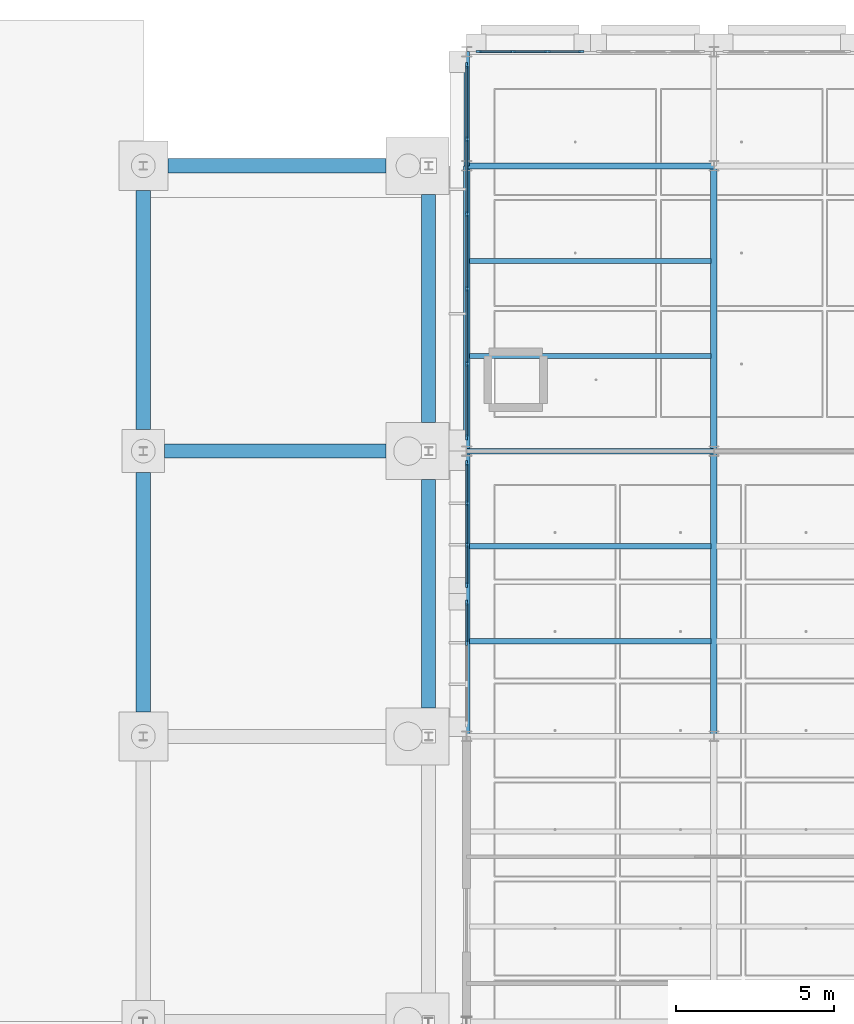
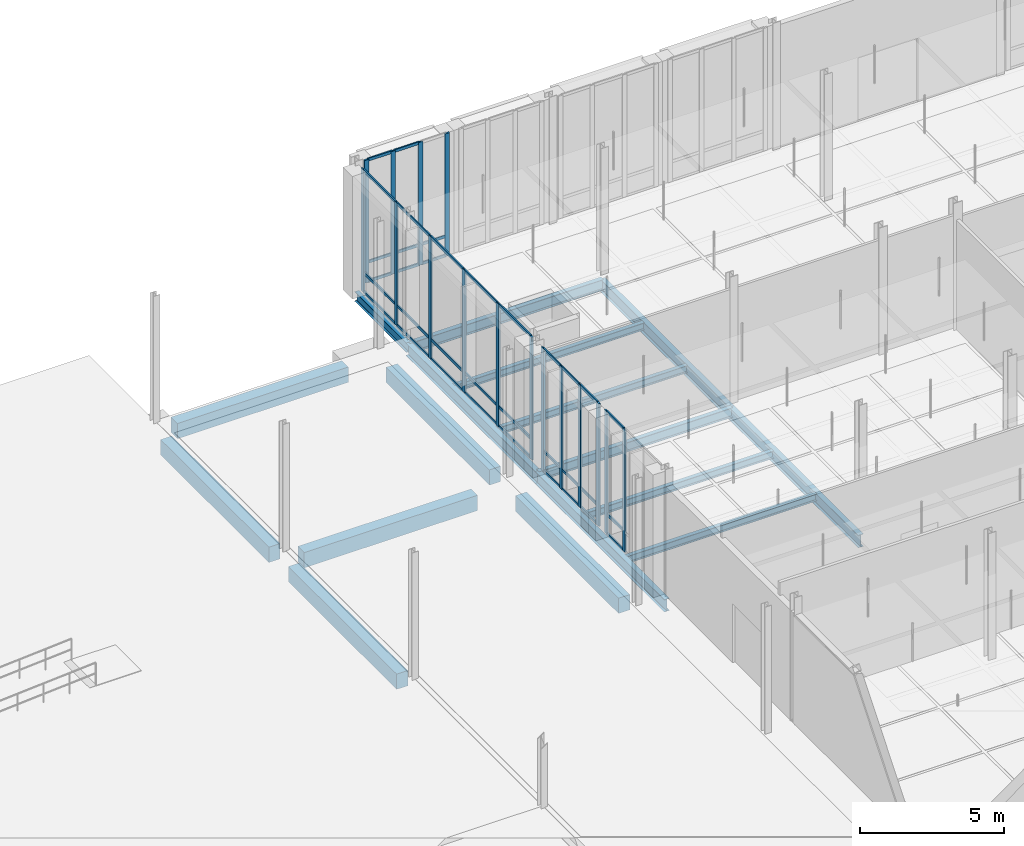
# One storey, part 52 of 180: 51 members, 17 beams, 4 elements without a shape of their own.
"""IFC4 building model written with IfcOpenShell, lengths in metres."""

from ifc_helpers import new_model, si_unit, direction, frame, origin, origin_2d, place, context, subcontext, project, spatial, rectangle, i_section, extrude, material, material_profile, profile_set, type_object, element, aggregate, save


model = new_model("IFC4")

# Units and contexts
model_context = context("Model", 3, precision=1e-05, world=origin(), true_north=direction((0.0, 1.0)))
body_context = subcontext(model_context, "Body", "Model", "MODEL_VIEW")
ifc_project = project(units=[si_unit("LENGTHUNIT", "METRE"), si_unit("AREAUNIT", "SQUARE_METRE"), si_unit("VOLUMEUNIT", "CUBIC_METRE"), si_unit("PLANEANGLEUNIT", "RADIAN"), si_unit("MASSUNIT", "GRAM", prefix="KILO"), si_unit("THERMODYNAMICTEMPERATUREUNIT", "KELVIN"), si_unit("POWERUNIT", "WATT")], contexts=[model_context])

# Site, building, storey
site_placement = place(None, origin())
site = spatial("IfcSite", under=ifc_project, at=site_placement, CompositionType="ELEMENT")
building_placement = place(site_placement, origin())
building = spatial("IfcBuilding", under=site, at=building_placement, Name="Tallowbark Science Centre", CompositionType="ELEMENT")
storey_placement = place(building_placement, origin())
storey = spatial("IfcBuildingStorey", under=building, at=storey_placement, Name="L00", CompositionType="ELEMENT", Elevation=0.0)

# Beams
ifc_material_1 = material(Name="Concrete Grade N40 (40 MPa)", Category="concrete")
ifc_material_profile_1 = material_profile(ifc_material_1, rectangle(XDim=0.449951171875, YDim=0.64990234375, at=origin_2d()), Name="RC450x650")
ifc_profile_set_1 = profile_set([ifc_material_profile_1], Name="Concrete Grade N40 (40 MPa)")
beam_type_1 = type_object("IfcBeamType", Name="BM-GB2-N40", PredefinedType="BEAM", material=ifc_profile_set_1)
beam_1_placement = place(storey_placement, frame((45.675048828125, 99.0, -0.5849609375), z_axis=(1.0, 0.0, 0.0), x_axis=(0.0, 1.0, 0.0)))
element("IfcBeam", 1, at=beam_1_placement, inside=storey, type_object=beam_type_1, Name="Ground Tie Beam GBT-X-282", PredefinedType="BEAM", context=body_context, shape_type="SweptSolid", body=[
    extrude(rectangle(XDim=0.449951171875, YDim=0.64990234375, at=origin_2d()), origin(), (0.0, 0.0, 1.0), 6.974853515625),
])
beam_2_placement = place(storey_placement, frame((45.77490234375, 108.0, -0.5849609375), z_axis=(1.0, 0.0, 0.0), x_axis=(0.0, 1.0, 0.0)))
element("IfcBeam", 2, at=beam_2_placement, inside=storey, type_object=beam_type_1, Name="Ground Tie Beam GBT-X-286", PredefinedType="BEAM", context=body_context, shape_type="SweptSolid", body=[
    extrude(rectangle(XDim=0.449951171875, YDim=0.64990234375, at=origin_2d()), origin(), (0.0, 0.0, 1.0), 6.875),
])
for number, where, z_axis, x_axis, name in (
    (3, (45.0, 90.77490234375, -0.5849609375), (0.0, 1.0, 0.0), (-1.0, 0.0, 0.0), "Ground Tie Beam GBT-Y-313"),
    (4, (45.0, 99.675048828125, -0.5849609375), (0.0, 1.0, 0.0), (-1.0, 0.0, 0.0), "Ground Tie Beam GBT-Y-314"),
):
    element("IfcBeam", number, at=place(storey_placement, frame(where, z_axis=z_axis, x_axis=x_axis)), inside=storey, type_object=beam_type_1, Name=name, PredefinedType="BEAM", context=body_context, shape_type="SweptSolid", body=[
        extrude(rectangle(XDim=0.449951171875, YDim=0.64990234375, at=origin_2d()), origin(), (0.0, 0.0, 1.0), 7.550048828125),
    ])
for number, where, z_axis, x_axis, name in (
    (5, (54.0, 90.89990234375, -0.5849609375), (0.0, 1.0, 0.0), (-1.0, 0.0, 0.0), "Ground Tie Beam GBT-Y-325"),
    (6, (54.0, 99.89990234375, -0.5849609375), (0.0, 1.0, 0.0), (-1.0, 0.0, 0.0), "Ground Tie Beam GBT-Y-326"),
):
    element("IfcBeam", number, at=place(storey_placement, frame(where, z_axis=z_axis, x_axis=x_axis)), inside=storey, type_object=beam_type_1, Name=name, PredefinedType="BEAM", context=body_context, shape_type="SweptSolid", body=[
        extrude(rectangle(XDim=0.449951171875, YDim=0.64990234375, at=origin_2d()), origin(), (0.0, 0.0, 1.0), 7.2001953125),
    ])
ifc_material_2 = material(Name="Structural Steel Grade 300PLUS (300 MPa)", Category="steel")
ifc_material_profile_2 = material_profile(ifc_material_2, i_section(OverallWidth=0.177734375, OverallDepth=0.406494140625, WebThickness=0.0078125, FlangeThickness=0.0126953125, FilletRadius=0.011474609375, at=origin_2d()), Name="410UB59.7")
ifc_profile_set_2 = profile_set([ifc_material_profile_2], Name="Structural Steel Grade 300PLUS (300 MPa)")
beam_type_2 = type_object("IfcBeamType", Name="BM-UB410", PredefinedType="BEAM", material=ifc_profile_set_2)
beam_3_placement = place(storey_placement, frame((55.199951171875, 99.0, -0.443115234375), z_axis=(1.0, 0.0, 0.0), x_axis=(0.0, 1.0, 0.0)))
element("IfcBeam", 7, at=beam_3_placement, inside=storey, type_object=beam_type_2, Name="Primary Girder GRDX-L00-552-630-990", PredefinedType="BEAM", context=body_context, shape_type="SweptSolid", body=[
    extrude(i_section(OverallWidth=0.177734375, OverallDepth=0.406494140625, WebThickness=0.0078125, FlangeThickness=0.0126953125, FilletRadius=0.011474609375, at=origin_2d()), origin(), (0.0, 0.0, 1.0), 7.800048828125),
])
beam_4_placement = place(storey_placement, frame((55.199951171875, 108.0, -0.443115234375), z_axis=(0.0, 1.0, 0.0), x_axis=(-1.0, 0.0, 0.0)))
element("IfcBeam", 8, at=beam_4_placement, inside=storey, type_object=beam_type_2, Name="Primary Girder GRDY-L00-552-1080-1116", PredefinedType="BEAM", context=body_context, shape_type="SweptSolid", body=[
    extrude(i_section(OverallWidth=0.177734375, OverallDepth=0.406494140625, WebThickness=0.0078125, FlangeThickness=0.0126953125, FilletRadius=0.011474609375, at=origin_2d()), origin(), (0.0, 0.0, 1.0), 3.60009765625),
])
ifc_material_profile_3 = material_profile(ifc_material_2, i_section(OverallWidth=0.208740234375, OverallDepth=0.5283203125, WebThickness=0.009521484375, FlangeThickness=0.01318359375, FilletRadius=0.013916015625, at=origin_2d()), Name="530UB82.0")
ifc_profile_set_3 = profile_set([ifc_material_profile_3], Name="Structural Steel Grade 300PLUS (300 MPa)")
beam_type_3 = type_object("IfcBeamType", Name="BM-UB530B", PredefinedType="BEAM", material=ifc_profile_set_3)
for number, where, z_axis, x_axis, name in (
    (9, (55.199951171875, 90.0, -0.504150390625), (0.0, 1.0, 0.0), (-1.0, 0.0, 0.0), "Primary Girder GRDY-L00-552-900-990"),
    (10, (55.199951171875, 99.0, -0.504150390625), (0.0, 1.0, 0.0), (-1.0, 0.0, 0.0), "Primary Girder GRDY-L00-552-990-1080"),
    (11, (63.0, 90.0, -0.504150390625), (0.0, 1.0, 0.0), (-1.0, 0.0, 0.0), "Primary Girder GRDY-L00-630-900-990"),
    (12, (63.0, 99.0, -0.504150390625), (0.0, 1.0, 0.0), (-1.0, 0.0, 0.0), "Primary Girder GRDY-L00-630-990-1080"),
):
    element("IfcBeam", number, at=place(storey_placement, frame(where, z_axis=z_axis, x_axis=x_axis)), inside=storey, type_object=beam_type_3, Name=name, PredefinedType="BEAM", context=body_context, shape_type="SweptSolid", body=[
        extrude(i_section(OverallWidth=0.208740234375, OverallDepth=0.5283203125, WebThickness=0.009521484375, FlangeThickness=0.01318359375, FilletRadius=0.013916015625, at=origin_2d()), origin(), (0.0, 0.0, 1.0), 9.0),
    ])

# Curtain wall, members
ifc_material_3 = material(Name="Unitised Thermally Broken Aluminium and Low-E Double Glazing", Category="aluminium")
curtain_wall_type = type_object("IfcCurtainWallType", Name="CW-SYS-FACADE", PredefinedType="NOTDEFINED", material=ifc_material_3)
curtain_wall_1_placement = place(storey_placement, origin())
curtain_wall_1 = element("IfcCurtainWall", 13, at=curtain_wall_1_placement, inside=storey, type_object=curtain_wall_type, Name="Unitised Curtain Wall LAB-W-90A CW-L00-028", PredefinedType="NOTDEFINED")
ifc_material_4 = material(Name="Anodised Architectural Aluminium Alloy 6063-T6", Category="aluminium")
ifc_material_profile_4 = material_profile(ifc_material_4, rectangle(XDim=0.06494140625, YDim=0.179931640625, at=origin_2d()), Name="ALU65x180")
ifc_profile_set_4 = profile_set([ifc_material_profile_4], Name="Anodised Architectural Aluminium Alloy 6063-T6")
member_type_1 = type_object("IfcMemberType", Name="CWM-MUL-220", PredefinedType="MULLION", material=ifc_profile_set_4)
member_1_placement = place(storey_placement, frame((55.199951171875, 98.617431640625, 0.0), z_axis=(0.0, 0.0, 1.0), x_axis=(1.0, 0.0, 0.0)))
member_1 = element("IfcMember", 14, at=member_1_placement, type_object=member_type_1, Name="CW-01 mullion 1", PredefinedType="MULLION", context=body_context, shape_type="SweptSolid", body=[
    extrude(rectangle(XDim=0.06494140625, YDim=0.179931640625, at=origin_2d()), origin(), (0.0, 0.0, 1.0), 5.219970703125),
])
member_2_placement = place(storey_placement, frame((55.199951171875, 97.35009765625, 0.0), z_axis=(0.0, 0.0, 1.0), x_axis=(1.0, 0.0, 0.0)))
member_2 = element("IfcMember", 15, at=member_2_placement, type_object=member_type_1, Name="CW-01 mullion 2", PredefinedType="MULLION", context=body_context, shape_type="SweptSolid", body=[
    extrude(rectangle(XDim=0.06494140625, YDim=0.179931640625, at=origin_2d()), origin(), (0.0, 0.0, 1.0), 5.219970703125),
])
member_3_placement = place(storey_placement, frame((55.199951171875, 96.050048828125, 0.0), z_axis=(0.0, 0.0, 1.0), x_axis=(1.0, 0.0, 0.0)))
member_3 = element("IfcMember", 16, at=member_3_placement, type_object=member_type_1, Name="CW-01 mullion 3", PredefinedType="MULLION", context=body_context, shape_type="SweptSolid", body=[
    extrude(rectangle(XDim=0.06494140625, YDim=0.179931640625, at=origin_2d()), origin(), (0.0, 0.0, 1.0), 5.219970703125),
])
member_4_placement = place(storey_placement, frame((55.199951171875, 94.782470703125, 0.0), z_axis=(0.0, 0.0, 1.0), x_axis=(1.0, 0.0, 0.0)))
member_4 = element("IfcMember", 17, at=member_4_placement, type_object=member_type_1, Name="CW-01 mullion 4", PredefinedType="MULLION", context=body_context, shape_type="SweptSolid", body=[
    extrude(rectangle(XDim=0.06494140625, YDim=0.179931640625, at=origin_2d()), origin(), (0.0, 0.0, 1.0), 5.219970703125),
])

curtain_wall_2_placement = place(storey_placement, origin())
curtain_wall_2 = element("IfcCurtainWall", 18, at=curtain_wall_2_placement, inside=storey, type_object=curtain_wall_type, Name="Unitised Curtain Wall LAB-W-90B CW-L00-029", PredefinedType="NOTDEFINED")
member_5_placement = place(storey_placement, frame((55.199951171875, 94.217529296875, 0.0), z_axis=(0.0, 0.0, 1.0), x_axis=(1.0, 0.0, 0.0)))
member_5 = element("IfcMember", 19, at=member_5_placement, type_object=member_type_1, Name="CW-01 mullion 1", PredefinedType="MULLION", context=body_context, shape_type="SweptSolid", body=[
    extrude(rectangle(XDim=0.06494140625, YDim=0.179931640625, at=origin_2d()), origin(), (0.0, 0.0, 1.0), 5.219970703125),
])
member_6_placement = place(storey_placement, frame((55.199951171875, 92.949951171875, 0.0), z_axis=(0.0, 0.0, 1.0), x_axis=(1.0, 0.0, 0.0)))
member_6 = element("IfcMember", 20, at=member_6_placement, type_object=member_type_1, Name="CW-01 mullion 2", PredefinedType="MULLION", context=body_context, shape_type="SweptSolid", body=[
    extrude(rectangle(XDim=0.06494140625, YDim=0.179931640625, at=origin_2d()), origin(), (0.0, 0.0, 1.0), 5.219970703125),
])

curtain_wall_3_placement = place(storey_placement, origin())
curtain_wall_3 = element("IfcCurtainWall", 21, at=curtain_wall_3_placement, inside=storey, type_object=curtain_wall_type, Name="Unitised Curtain Wall CAF-N-55B CW-L00-031", PredefinedType="NOTDEFINED")
member_7_placement = place(storey_placement, frame((58.8173828125, 111.60009765625, 0.0), z_axis=(0.0, 0.0, 1.0), x_axis=(0.0, -1.0, 0.0)))
member_7 = element("IfcMember", 22, at=member_7_placement, type_object=member_type_1, Name="CW-01 mullion 1", PredefinedType="MULLION", context=body_context, shape_type="SweptSolid", body=[
    extrude(rectangle(XDim=0.06494140625, YDim=0.179931640625, at=origin_2d()), origin(), (0.0, 0.0, 1.0), 5.219970703125),
])
member_8_placement = place(storey_placement, frame((57.75, 111.60009765625, 0.0), z_axis=(0.0, 0.0, 1.0), x_axis=(0.0, -1.0, 0.0)))
member_8 = element("IfcMember", 23, at=member_8_placement, type_object=member_type_1, Name="CW-01 mullion 2", PredefinedType="MULLION", context=body_context, shape_type="SweptSolid", body=[
    extrude(rectangle(XDim=0.06494140625, YDim=0.179931640625, at=origin_2d()), origin(), (0.0, 0.0, 1.0), 5.219970703125),
])
member_9_placement = place(storey_placement, frame((56.64990234375, 111.60009765625, 0.0), z_axis=(0.0, 0.0, 1.0), x_axis=(0.0, -1.0, 0.0)))
member_9 = element("IfcMember", 24, at=member_9_placement, type_object=member_type_1, Name="CW-01 mullion 3", PredefinedType="MULLION", context=body_context, shape_type="SweptSolid", body=[
    extrude(rectangle(XDim=0.06494140625, YDim=0.179931640625, at=origin_2d()), origin(), (0.0, 0.0, 1.0), 5.219970703125),
])
member_10_placement = place(storey_placement, frame((55.58251953125, 111.60009765625, 0.0), z_axis=(0.0, 0.0, 1.0), x_axis=(0.0, -1.0, 0.0)))
member_10 = element("IfcMember", 25, at=member_10_placement, type_object=member_type_1, Name="CW-01 mullion 4", PredefinedType="MULLION", context=body_context, shape_type="SweptSolid", body=[
    extrude(rectangle(XDim=0.06494140625, YDim=0.179931640625, at=origin_2d()), origin(), (0.0, 0.0, 1.0), 5.219970703125),
])

curtain_wall_4_placement = place(storey_placement, origin())
curtain_wall_4 = element("IfcCurtainWall", 26, at=curtain_wall_4_placement, inside=storey, type_object=curtain_wall_type, Name="Unitised Curtain Wall CAF-W-L00 CW-L00-038", PredefinedType="NOTDEFINED")
member_11_placement = place(storey_placement, frame((55.199951171875, 111.16748046875, 0.0), z_axis=(0.0, 0.0, 1.0), x_axis=(1.0, 0.0, 0.0)))
member_11 = element("IfcMember", 27, at=member_11_placement, type_object=member_type_1, Name="CW-01 mullion 1", PredefinedType="MULLION", context=body_context, shape_type="SweptSolid", body=[
    extrude(rectangle(XDim=0.06494140625, YDim=0.179931640625, at=origin_2d()), origin(), (0.0, 0.0, 1.0), 5.219970703125),
])
member_12_placement = place(storey_placement, frame((55.199951171875, 108.840087890625, 0.0), z_axis=(0.0, 0.0, 1.0), x_axis=(1.0, 0.0, 0.0)))
member_12 = element("IfcMember", 28, at=member_12_placement, type_object=member_type_1, Name="CW-01 mullion 2", PredefinedType="MULLION", context=body_context, shape_type="SweptSolid", body=[
    extrude(rectangle(XDim=0.06494140625, YDim=0.179931640625, at=origin_2d()), origin(), (0.0, 0.0, 1.0), 5.219970703125),
])
member_13_placement = place(storey_placement, frame((55.199951171875, 106.47998046875, 0.0), z_axis=(0.0, 0.0, 1.0), x_axis=(1.0, 0.0, 0.0)))
member_13 = element("IfcMember", 29, at=member_13_placement, type_object=member_type_1, Name="CW-01 mullion 3", PredefinedType="MULLION", context=body_context, shape_type="SweptSolid", body=[
    extrude(rectangle(XDim=0.06494140625, YDim=0.179931640625, at=origin_2d()), origin(), (0.0, 0.0, 1.0), 5.219970703125),
])
member_14_placement = place(storey_placement, frame((55.199951171875, 104.1201171875, 0.0), z_axis=(0.0, 0.0, 1.0), x_axis=(1.0, 0.0, 0.0)))
member_14 = element("IfcMember", 30, at=member_14_placement, type_object=member_type_1, Name="CW-01 mullion 4", PredefinedType="MULLION", context=body_context, shape_type="SweptSolid", body=[
    extrude(rectangle(XDim=0.06494140625, YDim=0.179931640625, at=origin_2d()), origin(), (0.0, 0.0, 1.0), 5.219970703125),
])
member_15_placement = place(storey_placement, frame((55.199951171875, 101.760009765625, 0.0), z_axis=(0.0, 0.0, 1.0), x_axis=(1.0, 0.0, 0.0)))
member_15 = element("IfcMember", 31, at=member_15_placement, type_object=member_type_1, Name="CW-01 mullion 5", PredefinedType="MULLION", context=body_context, shape_type="SweptSolid", body=[
    extrude(rectangle(XDim=0.06494140625, YDim=0.179931640625, at=origin_2d()), origin(), (0.0, 0.0, 1.0), 5.219970703125),
])
member_16_placement = place(storey_placement, frame((55.199951171875, 99.4326171875, 0.0), z_axis=(0.0, 0.0, 1.0), x_axis=(1.0, 0.0, 0.0)))
member_16 = element("IfcMember", 32, at=member_16_placement, type_object=member_type_1, Name="CW-01 mullion 6", PredefinedType="MULLION", context=body_context, shape_type="SweptSolid", body=[
    extrude(rectangle(XDim=0.06494140625, YDim=0.179931640625, at=origin_2d()), origin(), (0.0, 0.0, 1.0), 5.219970703125),
])

# Member
ifc_material_profile_5 = material_profile(ifc_material_4, rectangle(XDim=0.054931640625, YDim=0.1201171875, at=origin_2d()), Name="ALU55x120")
ifc_profile_set_5 = profile_set([ifc_material_profile_5], Name="Anodised Architectural Aluminium Alloy 6063-T6")
member_type_2 = type_object("IfcMemberType", Name="CWM-TRN-150", PredefinedType="USERDEFINED", material=ifc_profile_set_5)
member_17_placement = place(storey_placement, frame((55.199951171875, 98.5849609375, 0.027587890625), z_axis=(0.0, -1.0, 0.0), x_axis=(1.0, 0.0, 0.0)))
member_17 = element("IfcMember", 33, at=member_17_placement, type_object=member_type_2, Name="CW-01 transom 1.1", ObjectType="TRANSOM", PredefinedType="USERDEFINED", context=body_context, shape_type="SweptSolid", body=[
    extrude(rectangle(XDim=0.054931640625, YDim=0.1201171875, at=origin_2d()), origin(), (0.0, 0.0, 1.0), 1.202392578125),
])

member_18_placement = place(storey_placement, frame((55.199951171875, 98.5849609375, 0.85009765625), z_axis=(0.0, -1.0, 0.0), x_axis=(1.0, 0.0, 0.0)))
member_18 = element("IfcMember", 34, at=member_18_placement, type_object=member_type_2, Name="CW-01 transom 1.2", ObjectType="TRANSOM", PredefinedType="USERDEFINED", context=body_context, shape_type="SweptSolid", body=[
    extrude(rectangle(XDim=0.054931640625, YDim=0.1201171875, at=origin_2d()), origin(), (0.0, 0.0, 1.0), 1.202392578125),
])

member_19_placement = place(storey_placement, frame((55.199951171875, 98.5849609375, 5.1923828125), z_axis=(0.0, -1.0, 0.0), x_axis=(1.0, 0.0, 0.0)))
member_19 = element("IfcMember", 35, at=member_19_placement, type_object=member_type_2, Name="CW-01 transom 1.3", ObjectType="TRANSOM", PredefinedType="USERDEFINED", context=body_context, shape_type="SweptSolid", body=[
    extrude(rectangle(XDim=0.054931640625, YDim=0.1201171875, at=origin_2d()), origin(), (0.0, 0.0, 1.0), 1.202392578125),
])

member_20_placement = place(storey_placement, frame((55.199951171875, 97.3173828125, 0.027587890625), z_axis=(0.0, -1.0, 0.0), x_axis=(1.0, 0.0, 0.0)))
member_20 = element("IfcMember", 36, at=member_20_placement, type_object=member_type_2, Name="CW-01 transom 2.1", ObjectType="TRANSOM", PredefinedType="USERDEFINED", context=body_context, shape_type="SweptSolid", body=[
    extrude(rectangle(XDim=0.054931640625, YDim=0.1201171875, at=origin_2d()), origin(), (0.0, 0.0, 1.0), 1.23486328125),
])

member_21_placement = place(storey_placement, frame((55.199951171875, 97.3173828125, 0.85009765625), z_axis=(0.0, -1.0, 0.0), x_axis=(1.0, 0.0, 0.0)))
member_21 = element("IfcMember", 37, at=member_21_placement, type_object=member_type_2, Name="CW-01 transom 2.2", ObjectType="TRANSOM", PredefinedType="USERDEFINED", context=body_context, shape_type="SweptSolid", body=[
    extrude(rectangle(XDim=0.054931640625, YDim=0.1201171875, at=origin_2d()), origin(), (0.0, 0.0, 1.0), 1.23486328125),
])

member_22_placement = place(storey_placement, frame((55.199951171875, 97.3173828125, 5.1923828125), z_axis=(0.0, -1.0, 0.0), x_axis=(1.0, 0.0, 0.0)))
member_22 = element("IfcMember", 38, at=member_22_placement, type_object=member_type_2, Name="CW-01 transom 2.3", ObjectType="TRANSOM", PredefinedType="USERDEFINED", context=body_context, shape_type="SweptSolid", body=[
    extrude(rectangle(XDim=0.054931640625, YDim=0.1201171875, at=origin_2d()), origin(), (0.0, 0.0, 1.0), 1.23486328125),
])

member_23_placement = place(storey_placement, frame((55.199951171875, 96.017578125, 0.027587890625), z_axis=(0.0, -1.0, 0.0), x_axis=(1.0, 0.0, 0.0)))
member_23 = element("IfcMember", 39, at=member_23_placement, type_object=member_type_2, Name="CW-01 transom 3.1", ObjectType="TRANSOM", PredefinedType="USERDEFINED", context=body_context, shape_type="SweptSolid", body=[
    extrude(rectangle(XDim=0.054931640625, YDim=0.1201171875, at=origin_2d()), origin(), (0.0, 0.0, 1.0), 1.20263671875),
])

member_24_placement = place(storey_placement, frame((55.199951171875, 96.017578125, 0.85009765625), z_axis=(0.0, -1.0, 0.0), x_axis=(1.0, 0.0, 0.0)))
member_24 = element("IfcMember", 40, at=member_24_placement, type_object=member_type_2, Name="CW-01 transom 3.2", ObjectType="TRANSOM", PredefinedType="USERDEFINED", context=body_context, shape_type="SweptSolid", body=[
    extrude(rectangle(XDim=0.054931640625, YDim=0.1201171875, at=origin_2d()), origin(), (0.0, 0.0, 1.0), 1.20263671875),
])

member_25_placement = place(storey_placement, frame((55.199951171875, 96.017578125, 5.1923828125), z_axis=(0.0, -1.0, 0.0), x_axis=(1.0, 0.0, 0.0)))
member_25 = element("IfcMember", 41, at=member_25_placement, type_object=member_type_2, Name="CW-01 transom 3.3", ObjectType="TRANSOM", PredefinedType="USERDEFINED", context=body_context, shape_type="SweptSolid", body=[
    extrude(rectangle(XDim=0.054931640625, YDim=0.1201171875, at=origin_2d()), origin(), (0.0, 0.0, 1.0), 1.20263671875),
])

aggregate(curtain_wall_1, [member_1, member_2, member_3, member_4, member_17, member_18, member_19, member_20, member_21, member_22, member_23, member_24, member_25])

member_26_placement = place(storey_placement, frame((55.199951171875, 94.18505859375, 0.027587890625), z_axis=(0.0, -1.0, 0.0), x_axis=(1.0, 0.0, 0.0)))
member_26 = element("IfcMember", 42, at=member_26_placement, type_object=member_type_2, Name="CW-01 transom 1.1", ObjectType="TRANSOM", PredefinedType="USERDEFINED", context=body_context, shape_type="SweptSolid", body=[
    extrude(rectangle(XDim=0.054931640625, YDim=0.1201171875, at=origin_2d()), origin(), (0.0, 0.0, 1.0), 1.20263671875),
])

member_27_placement = place(storey_placement, frame((55.199951171875, 94.18505859375, 0.85009765625), z_axis=(0.0, -1.0, 0.0), x_axis=(1.0, 0.0, 0.0)))
member_27 = element("IfcMember", 43, at=member_27_placement, type_object=member_type_2, Name="CW-01 transom 1.2", ObjectType="TRANSOM", PredefinedType="USERDEFINED", context=body_context, shape_type="SweptSolid", body=[
    extrude(rectangle(XDim=0.054931640625, YDim=0.1201171875, at=origin_2d()), origin(), (0.0, 0.0, 1.0), 1.20263671875),
])

member_28_placement = place(storey_placement, frame((55.199951171875, 94.18505859375, 5.1923828125), z_axis=(0.0, -1.0, 0.0), x_axis=(1.0, 0.0, 0.0)))
member_28 = element("IfcMember", 44, at=member_28_placement, type_object=member_type_2, Name="CW-01 transom 1.3", ObjectType="TRANSOM", PredefinedType="USERDEFINED", context=body_context, shape_type="SweptSolid", body=[
    extrude(rectangle(XDim=0.054931640625, YDim=0.1201171875, at=origin_2d()), origin(), (0.0, 0.0, 1.0), 1.20263671875),
])

aggregate(curtain_wall_2, [member_5, member_6, member_26, member_27, member_28])

member_29_placement = place(storey_placement, frame((58.784912109375, 111.60009765625, 0.027587890625), z_axis=(-1.0, 0.0, 0.0), x_axis=(0.0, -1.0, 0.0)))
member_29 = element("IfcMember", 45, at=member_29_placement, type_object=member_type_2, Name="CW-01 transom 1.1", ObjectType="TRANSOM", PredefinedType="USERDEFINED", context=body_context, shape_type="SweptSolid", body=[
    extrude(rectangle(XDim=0.054931640625, YDim=0.1201171875, at=origin_2d()), origin(), (0.0, 0.0, 1.0), 1.00244140625),
])

member_30_placement = place(storey_placement, frame((58.784912109375, 111.60009765625, 0.85009765625), z_axis=(-1.0, 0.0, 0.0), x_axis=(0.0, -1.0, 0.0)))
member_30 = element("IfcMember", 46, at=member_30_placement, type_object=member_type_2, Name="CW-01 transom 1.2", ObjectType="TRANSOM", PredefinedType="USERDEFINED", context=body_context, shape_type="SweptSolid", body=[
    extrude(rectangle(XDim=0.054931640625, YDim=0.1201171875, at=origin_2d()), origin(), (0.0, 0.0, 1.0), 1.00244140625),
])

member_31_placement = place(storey_placement, frame((57.717529296875, 111.60009765625, 0.027587890625), z_axis=(-1.0, 0.0, 0.0), x_axis=(0.0, -1.0, 0.0)))
member_31 = element("IfcMember", 47, at=member_31_placement, type_object=member_type_2, Name="CW-01 transom 2.1", ObjectType="TRANSOM", PredefinedType="USERDEFINED", context=body_context, shape_type="SweptSolid", body=[
    extrude(rectangle(XDim=0.054931640625, YDim=0.1201171875, at=origin_2d()), origin(), (0.0, 0.0, 1.0), 1.034912109375),
])

member_32_placement = place(storey_placement, frame((57.717529296875, 111.60009765625, 0.85009765625), z_axis=(-1.0, 0.0, 0.0), x_axis=(0.0, -1.0, 0.0)))
member_32 = element("IfcMember", 48, at=member_32_placement, type_object=member_type_2, Name="CW-01 transom 2.2", ObjectType="TRANSOM", PredefinedType="USERDEFINED", context=body_context, shape_type="SweptSolid", body=[
    extrude(rectangle(XDim=0.054931640625, YDim=0.1201171875, at=origin_2d()), origin(), (0.0, 0.0, 1.0), 1.034912109375),
])

member_33_placement = place(storey_placement, frame((57.717529296875, 111.60009765625, 5.1923828125), z_axis=(-1.0, 0.0, 0.0), x_axis=(0.0, -1.0, 0.0)))
member_33 = element("IfcMember", 49, at=member_33_placement, type_object=member_type_2, Name="CW-01 transom 2.3", ObjectType="TRANSOM", PredefinedType="USERDEFINED", context=body_context, shape_type="SweptSolid", body=[
    extrude(rectangle(XDim=0.054931640625, YDim=0.1201171875, at=origin_2d()), origin(), (0.0, 0.0, 1.0), 1.034912109375),
])

member_34_placement = place(storey_placement, frame((56.617431640625, 111.60009765625, 0.027587890625), z_axis=(-1.0, 0.0, 0.0), x_axis=(0.0, -1.0, 0.0)))
member_34 = element("IfcMember", 50, at=member_34_placement, type_object=member_type_2, Name="CW-01 transom 3.1", ObjectType="TRANSOM", PredefinedType="USERDEFINED", context=body_context, shape_type="SweptSolid", body=[
    extrude(rectangle(XDim=0.054931640625, YDim=0.1201171875, at=origin_2d()), origin(), (0.0, 0.0, 1.0), 1.00244140625),
])

member_35_placement = place(storey_placement, frame((56.617431640625, 111.60009765625, 0.85009765625), z_axis=(-1.0, 0.0, 0.0), x_axis=(0.0, -1.0, 0.0)))
member_35 = element("IfcMember", 51, at=member_35_placement, type_object=member_type_2, Name="CW-01 transom 3.2", ObjectType="TRANSOM", PredefinedType="USERDEFINED", context=body_context, shape_type="SweptSolid", body=[
    extrude(rectangle(XDim=0.054931640625, YDim=0.1201171875, at=origin_2d()), origin(), (0.0, 0.0, 1.0), 1.00244140625),
])

member_36_placement = place(storey_placement, frame((56.617431640625, 111.60009765625, 5.1923828125), z_axis=(-1.0, 0.0, 0.0), x_axis=(0.0, -1.0, 0.0)))
member_36 = element("IfcMember", 52, at=member_36_placement, type_object=member_type_2, Name="CW-01 transom 3.3", ObjectType="TRANSOM", PredefinedType="USERDEFINED", context=body_context, shape_type="SweptSolid", body=[
    extrude(rectangle(XDim=0.054931640625, YDim=0.1201171875, at=origin_2d()), origin(), (0.0, 0.0, 1.0), 1.00244140625),
])

aggregate(curtain_wall_3, [member_7, member_8, member_9, member_10, member_29, member_30, member_31, member_32, member_33, member_34, member_35, member_36])

member_37_placement = place(storey_placement, frame((55.199951171875, 111.135009765625, 0.027587890625), z_axis=(0.0, -1.0, 0.0), x_axis=(1.0, 0.0, 0.0)))
member_37 = element("IfcMember", 53, at=member_37_placement, type_object=member_type_2, Name="CW-01 transom 1.1", ObjectType="TRANSOM", PredefinedType="USERDEFINED", context=body_context, shape_type="SweptSolid", body=[
    extrude(rectangle(XDim=0.054931640625, YDim=0.1201171875, at=origin_2d()), origin(), (0.0, 0.0, 1.0), 2.262451171875),
])

member_38_placement = place(storey_placement, frame((55.199951171875, 111.135009765625, 0.85009765625), z_axis=(0.0, -1.0, 0.0), x_axis=(1.0, 0.0, 0.0)))
member_38 = element("IfcMember", 54, at=member_38_placement, type_object=member_type_2, Name="CW-01 transom 1.2", ObjectType="TRANSOM", PredefinedType="USERDEFINED", context=body_context, shape_type="SweptSolid", body=[
    extrude(rectangle(XDim=0.054931640625, YDim=0.1201171875, at=origin_2d()), origin(), (0.0, 0.0, 1.0), 2.262451171875),
])

member_39_placement = place(storey_placement, frame((55.199951171875, 111.135009765625, 5.1923828125), z_axis=(0.0, -1.0, 0.0), x_axis=(1.0, 0.0, 0.0)))
member_39 = element("IfcMember", 55, at=member_39_placement, type_object=member_type_2, Name="CW-01 transom 1.3", ObjectType="TRANSOM", PredefinedType="USERDEFINED", context=body_context, shape_type="SweptSolid", body=[
    extrude(rectangle(XDim=0.054931640625, YDim=0.1201171875, at=origin_2d()), origin(), (0.0, 0.0, 1.0), 2.262451171875),
])

member_40_placement = place(storey_placement, frame((55.199951171875, 108.8076171875, 0.027587890625), z_axis=(0.0, -1.0, 0.0), x_axis=(1.0, 0.0, 0.0)))
member_40 = element("IfcMember", 56, at=member_40_placement, type_object=member_type_2, Name="CW-01 transom 2.1", ObjectType="TRANSOM", PredefinedType="USERDEFINED", context=body_context, shape_type="SweptSolid", body=[
    extrude(rectangle(XDim=0.054931640625, YDim=0.1201171875, at=origin_2d()), origin(), (0.0, 0.0, 1.0), 2.295166015625),
])

member_41_placement = place(storey_placement, frame((55.199951171875, 108.8076171875, 0.85009765625), z_axis=(0.0, -1.0, 0.0), x_axis=(1.0, 0.0, 0.0)))
member_41 = element("IfcMember", 57, at=member_41_placement, type_object=member_type_2, Name="CW-01 transom 2.2", ObjectType="TRANSOM", PredefinedType="USERDEFINED", context=body_context, shape_type="SweptSolid", body=[
    extrude(rectangle(XDim=0.054931640625, YDim=0.1201171875, at=origin_2d()), origin(), (0.0, 0.0, 1.0), 2.295166015625),
])

member_42_placement = place(storey_placement, frame((55.199951171875, 108.8076171875, 5.1923828125), z_axis=(0.0, -1.0, 0.0), x_axis=(1.0, 0.0, 0.0)))
member_42 = element("IfcMember", 58, at=member_42_placement, type_object=member_type_2, Name="CW-01 transom 2.3", ObjectType="TRANSOM", PredefinedType="USERDEFINED", context=body_context, shape_type="SweptSolid", body=[
    extrude(rectangle(XDim=0.054931640625, YDim=0.1201171875, at=origin_2d()), origin(), (0.0, 0.0, 1.0), 2.295166015625),
])

member_43_placement = place(storey_placement, frame((55.199951171875, 106.447509765625, 0.027587890625), z_axis=(0.0, -1.0, 0.0), x_axis=(1.0, 0.0, 0.0)))
member_43 = element("IfcMember", 59, at=member_43_placement, type_object=member_type_2, Name="CW-01 transom 3.1", ObjectType="TRANSOM", PredefinedType="USERDEFINED", context=body_context, shape_type="SweptSolid", body=[
    extrude(rectangle(XDim=0.054931640625, YDim=0.1201171875, at=origin_2d()), origin(), (0.0, 0.0, 1.0), 2.294921875),
])

member_44_placement = place(storey_placement, frame((55.199951171875, 106.447509765625, 0.85009765625), z_axis=(0.0, -1.0, 0.0), x_axis=(1.0, 0.0, 0.0)))
member_44 = element("IfcMember", 60, at=member_44_placement, type_object=member_type_2, Name="CW-01 transom 3.2", ObjectType="TRANSOM", PredefinedType="USERDEFINED", context=body_context, shape_type="SweptSolid", body=[
    extrude(rectangle(XDim=0.054931640625, YDim=0.1201171875, at=origin_2d()), origin(), (0.0, 0.0, 1.0), 2.294921875),
])

member_45_placement = place(storey_placement, frame((55.199951171875, 106.447509765625, 5.1923828125), z_axis=(0.0, -1.0, 0.0), x_axis=(1.0, 0.0, 0.0)))
member_45 = element("IfcMember", 61, at=member_45_placement, type_object=member_type_2, Name="CW-01 transom 3.3", ObjectType="TRANSOM", PredefinedType="USERDEFINED", context=body_context, shape_type="SweptSolid", body=[
    extrude(rectangle(XDim=0.054931640625, YDim=0.1201171875, at=origin_2d()), origin(), (0.0, 0.0, 1.0), 2.294921875),
])

member_46_placement = place(storey_placement, frame((55.199951171875, 104.08740234375, 0.027587890625), z_axis=(0.0, -1.0, 0.0), x_axis=(1.0, 0.0, 0.0)))
member_46 = element("IfcMember", 62, at=member_46_placement, type_object=member_type_2, Name="CW-01 transom 4.1", ObjectType="TRANSOM", PredefinedType="USERDEFINED", context=body_context, shape_type="SweptSolid", body=[
    extrude(rectangle(XDim=0.054931640625, YDim=0.1201171875, at=origin_2d()), origin(), (0.0, 0.0, 1.0), 2.294921875),
])

member_47_placement = place(storey_placement, frame((55.199951171875, 104.08740234375, 0.85009765625), z_axis=(0.0, -1.0, 0.0), x_axis=(1.0, 0.0, 0.0)))
member_47 = element("IfcMember", 63, at=member_47_placement, type_object=member_type_2, Name="CW-01 transom 4.2", ObjectType="TRANSOM", PredefinedType="USERDEFINED", context=body_context, shape_type="SweptSolid", body=[
    extrude(rectangle(XDim=0.054931640625, YDim=0.1201171875, at=origin_2d()), origin(), (0.0, 0.0, 1.0), 2.294921875),
])

member_48_placement = place(storey_placement, frame((55.199951171875, 104.08740234375, 5.1923828125), z_axis=(0.0, -1.0, 0.0), x_axis=(1.0, 0.0, 0.0)))
member_48 = element("IfcMember", 64, at=member_48_placement, type_object=member_type_2, Name="CW-01 transom 4.3", ObjectType="TRANSOM", PredefinedType="USERDEFINED", context=body_context, shape_type="SweptSolid", body=[
    extrude(rectangle(XDim=0.054931640625, YDim=0.1201171875, at=origin_2d()), origin(), (0.0, 0.0, 1.0), 2.294921875),
])

member_49_placement = place(storey_placement, frame((55.199951171875, 101.7275390625, 0.027587890625), z_axis=(0.0, -1.0, 0.0), x_axis=(1.0, 0.0, 0.0)))
member_49 = element("IfcMember", 65, at=member_49_placement, type_object=member_type_2, Name="CW-01 transom 5.1", ObjectType="TRANSOM", PredefinedType="USERDEFINED", context=body_context, shape_type="SweptSolid", body=[
    extrude(rectangle(XDim=0.054931640625, YDim=0.1201171875, at=origin_2d()), origin(), (0.0, 0.0, 1.0), 2.262451171875),
])

member_50_placement = place(storey_placement, frame((55.199951171875, 101.7275390625, 0.85009765625), z_axis=(0.0, -1.0, 0.0), x_axis=(1.0, 0.0, 0.0)))
member_50 = element("IfcMember", 66, at=member_50_placement, type_object=member_type_2, Name="CW-01 transom 5.2", ObjectType="TRANSOM", PredefinedType="USERDEFINED", context=body_context, shape_type="SweptSolid", body=[
    extrude(rectangle(XDim=0.054931640625, YDim=0.1201171875, at=origin_2d()), origin(), (0.0, 0.0, 1.0), 2.262451171875),
])

member_51_placement = place(storey_placement, frame((55.199951171875, 101.7275390625, 5.1923828125), z_axis=(0.0, -1.0, 0.0), x_axis=(1.0, 0.0, 0.0)))
member_51 = element("IfcMember", 67, at=member_51_placement, type_object=member_type_2, Name="CW-01 transom 5.3", ObjectType="TRANSOM", PredefinedType="USERDEFINED", context=body_context, shape_type="SweptSolid", body=[
    extrude(rectangle(XDim=0.054931640625, YDim=0.1201171875, at=origin_2d()), origin(), (0.0, 0.0, 1.0), 2.262451171875),
])

aggregate(curtain_wall_4, [member_11, member_12, member_13, member_14, member_15, member_16, member_37, member_38, member_39, member_40, member_41, member_42, member_43, member_44, member_45, member_46, member_47, member_48, member_49, member_50, member_51])

# Beams
ifc_material_profile_6 = material_profile(ifc_material_2, i_section(OverallWidth=0.166015625, OverallDepth=0.30712890625, WebThickness=0.006591796875, FlangeThickness=0.01171875, FilletRadius=0.011474609375, at=origin_2d()), Name="310UB46.2")
ifc_profile_set_6 = profile_set([ifc_material_profile_6], Name="Structural Steel Grade 300PLUS (300 MPa)")
beam_type_4 = type_object("IfcBeamType", Name="JST-UB310", PredefinedType="JOIST", material=ifc_profile_set_6)
for number, where, z_axis, x_axis, name in (
    (68, (55.284912109375, 93.0, -0.3935546875), (1.0, 0.0, 0.0), (0.0, 1.0, 0.0), "Composite Floor Joist JSTX-L00-552-930"),
    (69, (55.284912109375, 96.0, -0.3935546875), (1.0, 0.0, 0.0), (0.0, 1.0, 0.0), "Composite Floor Joist JSTX-L00-552-960"),
    (70, (55.284912109375, 102.0, -0.3935546875), (1.0, 0.0, 0.0), (0.0, 1.0, 0.0), "Composite Floor Joist JSTX-L00-552-1020"),
    (71, (55.284912109375, 105.0, -0.3935546875), (1.0, 0.0, 0.0), (0.0, 1.0, 0.0), "Composite Floor Joist JSTX-L00-552-1050"),
):
    element("IfcBeam", number, at=place(storey_placement, frame(where, z_axis=z_axis, x_axis=x_axis)), inside=storey, type_object=beam_type_4, Name=name, PredefinedType="JOIST", context=body_context, shape_type="SweptSolid", body=[
        extrude(i_section(OverallWidth=0.166015625, OverallDepth=0.30712890625, WebThickness=0.006591796875, FlangeThickness=0.01171875, FilletRadius=0.011474609375, at=origin_2d()), origin(), (0.0, 0.0, 1.0), 7.630126953125),
    ])
ifc_material_profile_7 = material_profile(ifc_material_2, i_section(OverallWidth=0.18994140625, OverallDepth=0.453857421875, WebThickness=0.008544921875, FlangeThickness=0.0126953125, FilletRadius=0.011474609375, at=origin_2d()), Name="460UB67.1")
ifc_profile_set_7 = profile_set([ifc_material_profile_7], Name="Structural Steel Grade 300PLUS (300 MPa)")
beam_type_5 = type_object("IfcBeamType", Name="SPN-UB460", PredefinedType="SPANDREL", material=ifc_profile_set_7)
beam_5_placement = place(storey_placement, frame((55.199951171875, 108.0, -0.466796875), z_axis=(1.0, 0.0, 0.0), x_axis=(0.0, 1.0, 0.0)))
element("IfcBeam", 72, at=beam_5_placement, inside=storey, type_object=beam_type_5, Name="Primary Girder GRDX-L00-552-630-1080", PredefinedType="SPANDREL", context=body_context, shape_type="SweptSolid", body=[
    extrude(i_section(OverallWidth=0.18994140625, OverallDepth=0.453857421875, WebThickness=0.008544921875, FlangeThickness=0.0126953125, FilletRadius=0.011474609375, at=origin_2d()), origin(), (0.0, 0.0, 1.0), 7.800048828125),
])

save(model, "model.ifc")
